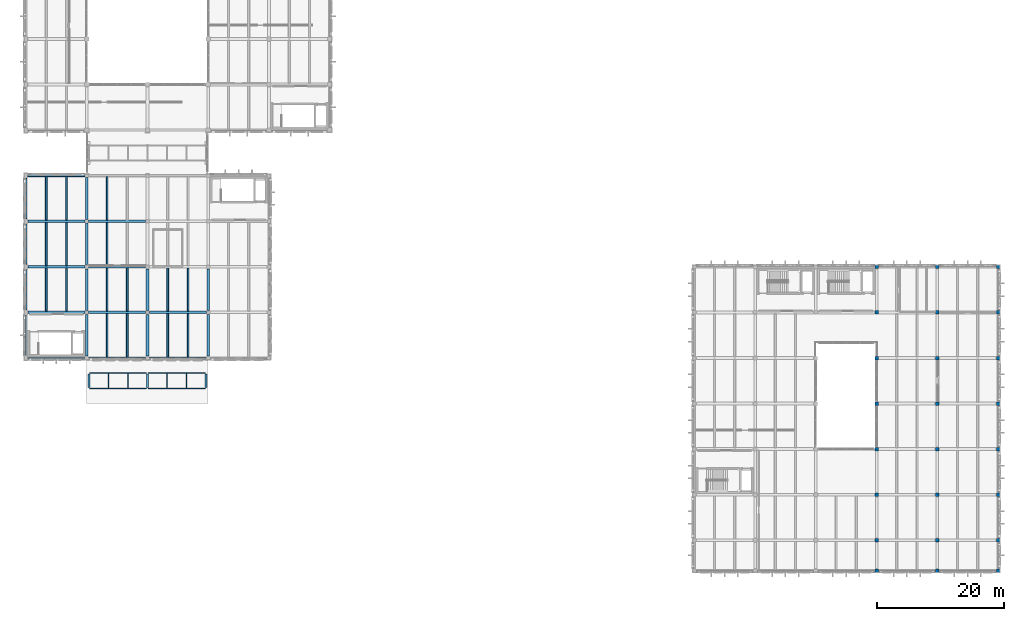
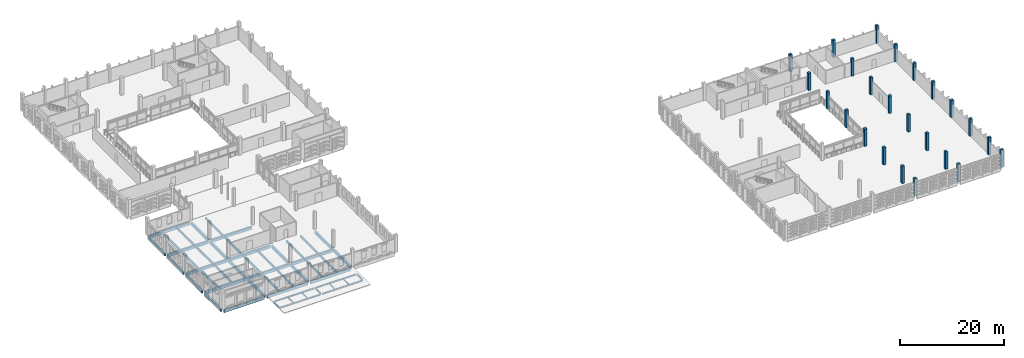
# One storey, part 4 of 72: 50 beams, 24 columns.
"""IFC4 building model written with IfcOpenShell, lengths in metres."""

from ifc_helpers import new_model, si_unit, direction, frame, origin, origin_2d, place, context, subcontext, project, spatial, rectangle, i_section, extrude, material, material_profile, profile_set, type_object, element, save


model = new_model("IFC4")

# Units and contexts
model_context = context("Model", 3, precision=1e-05, world=origin(), true_north=direction((0.0, 1.0)))
body_context = subcontext(model_context, "Body", "Model", "MODEL_VIEW")
ifc_project = project(units=[si_unit("LENGTHUNIT", "METRE"), si_unit("AREAUNIT", "SQUARE_METRE"), si_unit("VOLUMEUNIT", "CUBIC_METRE"), si_unit("PLANEANGLEUNIT", "RADIAN"), si_unit("MASSUNIT", "GRAM", prefix="KILO")], contexts=[model_context])

# Site, building, storey
site_placement = place(None, origin())
site = spatial("IfcSite", under=ifc_project, at=site_placement, CompositionType="ELEMENT")
building_placement = place(site_placement, origin())
building = spatial("IfcBuilding", under=site, at=building_placement, Name="Asteropetra Specialist Clinic", CompositionType="ELEMENT")
storey_placement = place(building_placement, frame((0.0, 0.0, 12.580078125)))
storey = spatial("IfcBuildingStorey", under=building, at=storey_placement, Name="L03", CompositionType="ELEMENT", Elevation=12.580078125)

# Columns
ifc_material_1 = material(Name="Concrete C35/45", Category="concrete")
ifc_material_profile_1 = material_profile(ifc_material_1, rectangle(XDim=0.550048828125, YDim=0.550048828125, at=origin_2d()), Name="RC 550x550")
ifc_profile_set_1 = profile_set([ifc_material_profile_1], Name="Concrete C35/45")
column_type = type_object("IfcColumnType", Name="COL-RC550", PredefinedType="COLUMN", material=ifc_profile_set_1)
for number, where, z_axis, x_axis, name in (
    (1, (134.39990234375, 0.0, 0.0), (0.0, 0.0, 1.0), (1.0, 0.0, 0.0), "Column CCOL06-0799"),
    (2, (134.39990234375, 4.800048828125, 0.0), (0.0, 0.0, 1.0), (1.0, 0.0, 0.0), "Column CCOL06-0804"),
    (3, (134.39990234375, 12.0, 0.0), (0.0, 0.0, 1.0), (1.0, 0.0, 0.0), "Column CCOL06-0809"),
    (4, (134.39990234375, 19.199951171875, 0.0), (0.0, 0.0, 1.0), (1.0, 0.0, 0.0), "Column CCOL06-0814"),
    (5, (134.39990234375, 26.39990234375, 0.0), (0.0, 0.0, 1.0), (1.0, 0.0, 0.0), "Column CCOL06-0819"),
    (6, (134.39990234375, 33.60009765625, 0.0), (0.0, 0.0, 1.0), (1.0, 0.0, 0.0), "Column CCOL06-0824"),
    (7, (134.39990234375, 40.800048828125, 0.0), (0.0, 0.0, 1.0), (1.0, 0.0, 0.0), "Column CCOL06-0829"),
    (8, (134.39990234375, 48.0, 0.0), (0.0, 0.0, 1.0), (1.0, 0.0, 0.0), "Column CCOL06-0834"),
    (9, (144.0, 0.0, 0.0), (0.0, 0.0, 1.0), (1.0, 0.0, 0.0), "Column CCOL06-0849"),
    (10, (144.0, 4.800048828125, 0.0), (0.0, 0.0, 1.0), (1.0, 0.0, 0.0), "Column CCOL06-0853"),
    (11, (144.0, 12.0, 0.0), (0.0, 0.0, 1.0), (1.0, 0.0, 0.0), "Column CCOL06-0857"),
    (12, (144.0, 19.199951171875, 0.0), (0.0, 0.0, 1.0), (1.0, 0.0, 0.0), "Column CCOL06-0861"),
    (13, (144.0, 26.39990234375, 0.0), (0.0, 0.0, 1.0), (1.0, 0.0, 0.0), "Column CCOL06-0865"),
    (14, (144.0, 33.60009765625, 0.0), (0.0, 0.0, 1.0), (1.0, 0.0, 0.0), "Column CCOL06-0869"),
    (15, (144.0, 40.800048828125, 0.0), (0.0, 0.0, 1.0), (1.0, 0.0, 0.0), "Column CCOL06-0873"),
    (16, (144.0, 48.0, 0.0), (0.0, 0.0, 1.0), (1.0, 0.0, 0.0), "Column CCOL06-0877"),
    (17, (153.60009765625, 0.0, 0.0), (0.0, 0.0, 1.0), (1.0, 0.0, 0.0), "Column CCOL06-0892"),
    (18, (153.60009765625, 4.800048828125, 0.0), (0.0, 0.0, 1.0), (1.0, 0.0, 0.0), "Column CCOL06-0896"),
    (19, (153.60009765625, 12.0, 0.0), (0.0, 0.0, 1.0), (1.0, 0.0, 0.0), "Column CCOL06-0900"),
    (20, (153.60009765625, 19.199951171875, 0.0), (0.0, 0.0, 1.0), (1.0, 0.0, 0.0), "Column CCOL06-0904"),
    (21, (153.60009765625, 26.39990234375, 0.0), (0.0, 0.0, 1.0), (1.0, 0.0, 0.0), "Column CCOL06-0908"),
    (22, (153.60009765625, 33.60009765625, 0.0), (0.0, 0.0, 1.0), (1.0, 0.0, 0.0), "Column CCOL06-0912"),
    (23, (153.60009765625, 40.800048828125, 0.0), (0.0, 0.0, 1.0), (1.0, 0.0, 0.0), "Column CCOL06-0916"),
    (24, (153.60009765625, 48.0, 0.0), (0.0, 0.0, 1.0), (1.0, 0.0, 0.0), "Column CCOL06-0920"),
):
    element("IfcColumn", number, at=place(storey_placement, frame(where, z_axis=z_axis, x_axis=x_axis)), inside=storey, type_object=column_type, Name=name, PredefinedType="COLUMN", context=body_context, shape_type="SweptSolid", body=[
        extrude(rectangle(XDim=0.550048828125, YDim=0.550048828125, at=origin_2d()), origin(), (0.0, 0.0, 1.0), 4.079833984375),
    ])

# Beams
ifc_material_2 = material(Name="Concrete C35/45", Category="concrete")
ifc_material_profile_2 = material_profile(ifc_material_2, rectangle(XDim=0.39990234375, YDim=0.60009765625, at=origin_2d()), Name="RCB 400x600")
ifc_profile_set_2 = profile_set([ifc_material_profile_2], Name="Concrete C35/45")
beam_type_1 = type_object("IfcBeamType", Name="BM-RC400x600", PredefinedType="BEAM", material=ifc_profile_set_2)
for number, where, z_axis, x_axis, name in (
    (25, (9.60009765625, 33.89990234375, -0.60009765625), (0.0, 1.0, 0.0), (-1.0, 0.0, 0.0), "Beam BBM08-1391"),
    (26, (19.199951171875, 33.89990234375, -0.60009765625), (0.0, 1.0, 0.0), (-1.0, 0.0, 0.0), "Beam BBM08-1392"),
    (27, (28.800048828125, 33.89990234375, -0.60009765625), (0.0, 1.0, 0.0), (-1.0, 0.0, 0.0), "Beam BBM08-1393"),
):
    element("IfcBeam", number, at=place(storey_placement, frame(where, z_axis=z_axis, x_axis=x_axis)), inside=storey, type_object=beam_type_1, Name=name, PredefinedType="BEAM", context=body_context, shape_type="SweptSolid", body=[
        extrude(rectangle(XDim=0.39990234375, YDim=0.60009765625, at=origin_2d()), origin(), (0.0, 0.0, 1.0), 6.60009765625),
    ])
for number, where, z_axis, x_axis, name in (
    (28, (9.60009765625, 41.10009765625, -0.60009765625), (0.0, 1.0, 0.0), (-1.0, 0.0, 0.0), "Beam BBM08-1402"),
    (29, (19.199951171875, 41.10009765625, -0.60009765625), (0.0, 1.0, 0.0), (-1.0, 0.0, 0.0), "Beam BBM08-1403"),
    (30, (28.800048828125, 41.10009765625, -0.60009765625), (0.0, 1.0, 0.0), (-1.0, 0.0, 0.0), "Beam BBM08-1404"),
    (31, (9.60009765625, 48.300048828125, -0.60009765625), (0.0, 1.0, 0.0), (-1.0, 0.0, 0.0), "Beam BBM08-1415"),
):
    element("IfcBeam", number, at=place(storey_placement, frame(where, z_axis=z_axis, x_axis=x_axis)), inside=storey, type_object=beam_type_1, Name=name, PredefinedType="BEAM", context=body_context, shape_type="SweptSolid", body=[
        extrude(rectangle(XDim=0.39990234375, YDim=0.60009765625, at=origin_2d()), origin(), (0.0, 0.0, 1.0), 6.599853515625),
    ])
beam_1_placement = place(storey_placement, frame((9.60009765625, 55.5, -0.60009765625), z_axis=(0.0, 1.0, 0.0), x_axis=(-1.0, 0.0, 0.0)))
element("IfcBeam", 32, at=beam_1_placement, inside=storey, type_object=beam_type_1, Name="Beam BBM08-1428", PredefinedType="BEAM", context=body_context, shape_type="SweptSolid", body=[
    extrude(rectangle(XDim=0.39990234375, YDim=0.60009765625, at=origin_2d()), origin(), (0.0, 0.0, 1.0), 6.60009765625),
])
ifc_material_3 = material(Name="Concrete C35/45", Category="concrete")
ifc_material_profile_3 = material_profile(ifc_material_3, rectangle(XDim=0.39990234375, YDim=0.64990234375, at=origin_2d()), Name="RCB 400x650")
ifc_profile_set_3 = profile_set([ifc_material_profile_3], Name="Concrete C35/45")
beam_type_2 = type_object("IfcBeamType", Name="BM-RC400x650", PredefinedType="BEAM", material=ifc_profile_set_3)
for number, where, z_axis, x_axis, name in (
    (33, (0.300048828125, 40.800048828125, -0.625), (1.0, 0.0, 0.0), (0.0, 1.0, 0.0), "Beam BBM07-1374"),
    (34, (9.89990234375, 40.800048828125, -0.625), (1.0, 0.0, 0.0), (0.0, 1.0, 0.0), "Beam BBM07-1375"),
    (35, (19.5, 40.800048828125, -0.625), (1.0, 0.0, 0.0), (0.0, 1.0, 0.0), "Beam BBM07-1376"),
    (36, (0.300048828125, 48.0, -0.625), (1.0, 0.0, 0.0), (0.0, 1.0, 0.0), "Beam BBM07-1378"),
    (37, (9.89990234375, 48.0, -0.625), (1.0, 0.0, 0.0), (0.0, 1.0, 0.0), "Beam BBM07-1379"),
    (38, (0.300048828125, 55.199951171875, -0.625), (1.0, 0.0, 0.0), (0.0, 1.0, 0.0), "Beam BBM07-1382"),
    (39, (9.89990234375, 55.199951171875, -0.625), (1.0, 0.0, 0.0), (0.0, 1.0, 0.0), "Beam BBM07-1383"),
):
    element("IfcBeam", number, at=place(storey_placement, frame(where, z_axis=z_axis, x_axis=x_axis)), inside=storey, type_object=beam_type_2, Name=name, PredefinedType="BEAM", context=body_context, shape_type="SweptSolid", body=[
        extrude(rectangle(XDim=0.39990234375, YDim=0.64990234375, at=origin_2d()), origin(), (0.0, 0.0, 1.0), 9.0),
    ])
ifc_material_4 = material(Name="Steel S355", Category="steel")
ifc_material_profile_4 = material_profile(ifc_material_4, i_section(OverallWidth=0.280029296875, OverallDepth=0.27001953125, WebThickness=0.008056640625, FlangeThickness=0.012939453125, FilletRadius=0.02392578125, at=origin_2d()), Name="HEA 280")
ifc_profile_set_4 = profile_set([ifc_material_profile_4], Name="Steel S355")
beam_type_3 = type_object("IfcBeamType", Name="BM-STL-HEA280", PredefinedType="BEAM", material=ifc_profile_set_4)
for number, where, z_axis, x_axis, name in (
    (40, (9.949951171875, 28.919921875, -0.3251953125), (0.0, 1.0, 0.0), (-1.0, 0.0, 0.0), "Beam BBMS6-1676"),
    (41, (19.199951171875, 28.919921875, -0.3251953125), (0.0, 1.0, 0.0), (-1.0, 0.0, 0.0), "Beam BBMS6-1677"),
    (42, (28.449951171875, 28.919921875, -0.3251953125), (0.0, 1.0, 0.0), (-1.0, 0.0, 0.0), "Beam BBMS6-1678"),
):
    element("IfcBeam", number, at=place(storey_placement, frame(where, z_axis=z_axis, x_axis=x_axis)), inside=storey, type_object=beam_type_3, Name=name, PredefinedType="BEAM", context=body_context, shape_type="SweptSolid", body=[
        extrude(i_section(OverallWidth=0.280029296875, OverallDepth=0.27001953125, WebThickness=0.008056640625, FlangeThickness=0.012939453125, FilletRadius=0.02392578125, at=origin_2d()), origin(), (0.0, 0.0, 1.0), 2.16015625),
    ])
ifc_material_5 = material(Name="Steel S355", Category="steel")
ifc_material_profile_5 = material_profile(ifc_material_5, i_section(OverallWidth=0.169921875, OverallDepth=0.360107421875, WebThickness=0.008056640625, FlangeThickness=0.0126953125, FilletRadius=0.01806640625, at=origin_2d()), Name="IPE 360")
ifc_profile_set_5 = profile_set([ifc_material_profile_5], Name="Steel S355")
beam_type_4 = type_object("IfcBeamType", Name="BM-STL-IPE360", PredefinedType="BEAM", material=ifc_profile_set_5)
for number, where, z_axis, x_axis, name in (
    (43, (10.070068359375, 28.800048828125, -0.3701171875), (1.0, 0.0, 0.0), (0.0, 1.0, 0.0), "Beam BBMS4-1672"),
    (44, (19.320068359375, 28.800048828125, -0.3701171875), (1.0, 0.0, 0.0), (0.0, 1.0, 0.0), "Beam BBMS4-1673"),
    (45, (10.070068359375, 31.199951171875, -0.3701171875), (1.0, 0.0, 0.0), (0.0, 1.0, 0.0), "Beam BBMS4-1674"),
    (46, (19.320068359375, 31.199951171875, -0.3701171875), (1.0, 0.0, 0.0), (0.0, 1.0, 0.0), "Beam BBMS4-1675"),
):
    element("IfcBeam", number, at=place(storey_placement, frame(where, z_axis=z_axis, x_axis=x_axis)), inside=storey, type_object=beam_type_4, Name=name, PredefinedType="BEAM", context=body_context, shape_type="SweptSolid", body=[
        extrude(i_section(OverallWidth=0.169921875, OverallDepth=0.360107421875, WebThickness=0.008056640625, FlangeThickness=0.0126953125, FilletRadius=0.01806640625, at=origin_2d()), origin(), (0.0, 0.0, 1.0), 9.010009765625),
    ])
ifc_material_6 = material(Name="Concrete C35/45", Category="concrete")
ifc_material_profile_6 = material_profile(ifc_material_6, rectangle(XDim=0.260009765625, YDim=0.47998046875, at=origin_2d()), Name="RCJ 260x480")
ifc_profile_set_6 = profile_set([ifc_material_profile_6], Name="Concrete C35/45")
beam_type_5 = type_object("IfcBeamType", Name="JST-RC260x480", PredefinedType="JOIST", material=ifc_profile_set_6)
for number, where, z_axis, x_axis, name in (
    (47, (12.800048828125, 33.75, -0.5400390625), (0.0, 1.0, 0.0), (-1.0, 0.0, 0.0), "Joist JJST02-1395"),
    (48, (16.0, 33.75, -0.5400390625), (0.0, 1.0, 0.0), (-1.0, 0.0, 0.0), "Joist JJST02-1396"),
    (49, (22.39990234375, 33.75, -0.5400390625), (0.0, 1.0, 0.0), (-1.0, 0.0, 0.0), "Joist JJST02-1397"),
    (50, (25.60009765625, 33.75, -0.5400390625), (0.0, 1.0, 0.0), (-1.0, 0.0, 0.0), "Joist JJST02-1398"),
):
    element("IfcBeam", number, at=place(storey_placement, frame(where, z_axis=z_axis, x_axis=x_axis)), inside=storey, type_object=beam_type_5, Name=name, PredefinedType="JOIST", context=body_context, shape_type="SweptSolid", body=[
        extrude(rectangle(XDim=0.260009765625, YDim=0.47998046875, at=origin_2d()), origin(), (0.0, 0.0, 1.0), 6.85009765625),
    ])
for number, where, z_axis, x_axis, name in (
    (51, (3.199951171875, 41.0, -0.5400390625), (0.0, 1.0, 0.0), (-1.0, 0.0, 0.0), "Joist JJST02-1406"),
    (52, (6.39990234375, 41.0, -0.5400390625), (0.0, 1.0, 0.0), (-1.0, 0.0, 0.0), "Joist JJST02-1407"),
    (53, (12.800048828125, 41.0, -0.5400390625), (0.0, 1.0, 0.0), (-1.0, 0.0, 0.0), "Joist JJST02-1408"),
    (54, (16.0, 41.0, -0.5400390625), (0.0, 1.0, 0.0), (-1.0, 0.0, 0.0), "Joist JJST02-1409"),
    (55, (22.39990234375, 41.0, -0.5400390625), (0.0, 1.0, 0.0), (-1.0, 0.0, 0.0), "Joist JJST02-1410"),
    (56, (25.60009765625, 41.0, -0.5400390625), (0.0, 1.0, 0.0), (-1.0, 0.0, 0.0), "Joist JJST02-1411"),
    (57, (3.199951171875, 48.199951171875, -0.5400390625), (0.0, 1.0, 0.0), (-1.0, 0.0, 0.0), "Joist JJST02-1419"),
    (58, (6.39990234375, 48.199951171875, -0.5400390625), (0.0, 1.0, 0.0), (-1.0, 0.0, 0.0), "Joist JJST02-1420"),
    (59, (12.800048828125, 48.199951171875, -0.5400390625), (0.0, 1.0, 0.0), (-1.0, 0.0, 0.0), "Joist JJST02-1421"),
):
    element("IfcBeam", number, at=place(storey_placement, frame(where, z_axis=z_axis, x_axis=x_axis)), inside=storey, type_object=beam_type_5, Name=name, PredefinedType="JOIST", context=body_context, shape_type="SweptSolid", body=[
        extrude(rectangle(XDim=0.260009765625, YDim=0.47998046875, at=origin_2d()), origin(), (0.0, 0.0, 1.0), 6.800048828125),
    ])
for number, where, z_axis, x_axis, name in (
    (60, (3.199951171875, 55.39990234375, -0.5400390625), (0.0, 1.0, 0.0), (-1.0, 0.0, 0.0), "Joist JJST02-1432"),
    (61, (6.39990234375, 55.39990234375, -0.5400390625), (0.0, 1.0, 0.0), (-1.0, 0.0, 0.0), "Joist JJST02-1433"),
    (62, (12.800048828125, 55.39990234375, -0.5400390625), (0.0, 1.0, 0.0), (-1.0, 0.0, 0.0), "Joist JJST02-1434"),
):
    element("IfcBeam", number, at=place(storey_placement, frame(where, z_axis=z_axis, x_axis=x_axis)), inside=storey, type_object=beam_type_5, Name=name, PredefinedType="JOIST", context=body_context, shape_type="SweptSolid", body=[
        extrude(rectangle(XDim=0.260009765625, YDim=0.47998046875, at=origin_2d()), origin(), (0.0, 0.0, 1.0), 6.85009765625),
    ])
ifc_material_7 = material(Name="Steel S355", Category="steel")
ifc_material_profile_7 = material_profile(ifc_material_7, i_section(OverallWidth=0.110107421875, OverallDepth=0.219970703125, WebThickness=0.005859375, FlangeThickness=0.00927734375, FilletRadius=0.011962890625, at=origin_2d()), Name="IPE 220")
ifc_profile_set_7 = profile_set([ifc_material_profile_7], Name="Steel S355")
beam_type_6 = type_object("IfcBeamType", Name="JST-STL-IPE220", PredefinedType="JOIST", material=ifc_profile_set_7)
for number, where, z_axis, x_axis, name in (
    (63, (13.033203125, 28.885009765625, -0.300048828125), (0.0, 1.0, 0.0), (-1.0, 0.0, 0.0), "Joist JJSTS2-1679"),
    (64, (16.11669921875, 28.885009765625, -0.300048828125), (0.0, 1.0, 0.0), (-1.0, 0.0, 0.0), "Joist JJSTS2-1680"),
    (65, (22.283203125, 28.885009765625, -0.300048828125), (0.0, 1.0, 0.0), (-1.0, 0.0, 0.0), "Joist JJSTS2-1681"),
    (66, (25.36669921875, 28.885009765625, -0.300048828125), (0.0, 1.0, 0.0), (-1.0, 0.0, 0.0), "Joist JJSTS2-1682"),
):
    element("IfcBeam", number, at=place(storey_placement, frame(where, z_axis=z_axis, x_axis=x_axis)), inside=storey, type_object=beam_type_6, Name=name, PredefinedType="JOIST", context=body_context, shape_type="SweptSolid", body=[
        extrude(i_section(OverallWidth=0.110107421875, OverallDepth=0.219970703125, WebThickness=0.005859375, FlangeThickness=0.00927734375, FilletRadius=0.011962890625, at=origin_2d()), origin(), (0.0, 0.0, 1.0), 2.22998046875),
    ])
ifc_material_8 = material(Name="Concrete C35/45", Category="concrete")
ifc_material_profile_8 = material_profile(ifc_material_8, rectangle(XDim=0.300048828125, YDim=0.64990234375, at=origin_2d()), Name="RCS 300x650")
ifc_profile_set_8 = profile_set([ifc_material_profile_8], Name="Concrete C35/45")
beam_type_7 = type_object("IfcBeamType", Name="SPN-RC300x650", PredefinedType="SPANDREL", material=ifc_profile_set_8)
for number, where, z_axis, x_axis, name in (
    (67, (0.300048828125, 33.60009765625, -0.625), (1.0, 0.0, 0.0), (0.0, 1.0, 0.0), "Beam BSPN03-1370"),
    (68, (9.89990234375, 33.60009765625, -0.625), (1.0, 0.0, 0.0), (0.0, 1.0, 0.0), "Beam BSPN03-1371"),
    (69, (19.5, 33.60009765625, -0.625), (1.0, 0.0, 0.0), (0.0, 1.0, 0.0), "Beam BSPN03-1372"),
    (70, (0.300048828125, 62.39990234375, -0.625), (1.0, 0.0, 0.0), (0.0, 1.0, 0.0), "Beam BSPN03-1386"),
):
    element("IfcBeam", number, at=place(storey_placement, frame(where, z_axis=z_axis, x_axis=x_axis)), inside=storey, type_object=beam_type_7, Name=name, PredefinedType="SPANDREL", context=body_context, shape_type="SweptSolid", body=[
        extrude(rectangle(XDim=0.300048828125, YDim=0.64990234375, at=origin_2d()), origin(), (0.0, 0.0, 1.0), 9.0),
    ])
beam_2_placement = place(storey_placement, frame((0.0, 34.02490234375, -0.625), z_axis=(0.0, 1.0, 0.0), x_axis=(-1.0, 0.0, 0.0)))
element("IfcBeam", 71, at=beam_2_placement, inside=storey, type_object=beam_type_7, Name="Beam BSPN03-1390", PredefinedType="SPANDREL", context=body_context, shape_type="SweptSolid", body=[
    extrude(rectangle(XDim=0.300048828125, YDim=0.64990234375, at=origin_2d()), origin(), (0.0, 0.0, 1.0), 6.35009765625),
])
for number, where, z_axis, x_axis, name in (
    (72, (0.0, 41.22509765625, -0.625), (0.0, 1.0, 0.0), (-1.0, 0.0, 0.0), "Beam BSPN03-1401"),
    (73, (0.0, 48.425048828125, -0.625), (0.0, 1.0, 0.0), (-1.0, 0.0, 0.0), "Beam BSPN03-1414"),
):
    element("IfcBeam", number, at=place(storey_placement, frame(where, z_axis=z_axis, x_axis=x_axis)), inside=storey, type_object=beam_type_7, Name=name, PredefinedType="SPANDREL", context=body_context, shape_type="SweptSolid", body=[
        extrude(rectangle(XDim=0.300048828125, YDim=0.64990234375, at=origin_2d()), origin(), (0.0, 0.0, 1.0), 6.349853515625),
    ])
beam_3_placement = place(storey_placement, frame((0.0, 55.625, -0.625), z_axis=(0.0, 1.0, 0.0), x_axis=(-1.0, 0.0, 0.0)))
element("IfcBeam", 74, at=beam_3_placement, inside=storey, type_object=beam_type_7, Name="Beam BSPN03-1427", PredefinedType="SPANDREL", context=body_context, shape_type="SweptSolid", body=[
    extrude(rectangle(XDim=0.300048828125, YDim=0.64990234375, at=origin_2d()), origin(), (0.0, 0.0, 1.0), 6.35009765625),
])

save(model, "model.ifc")
